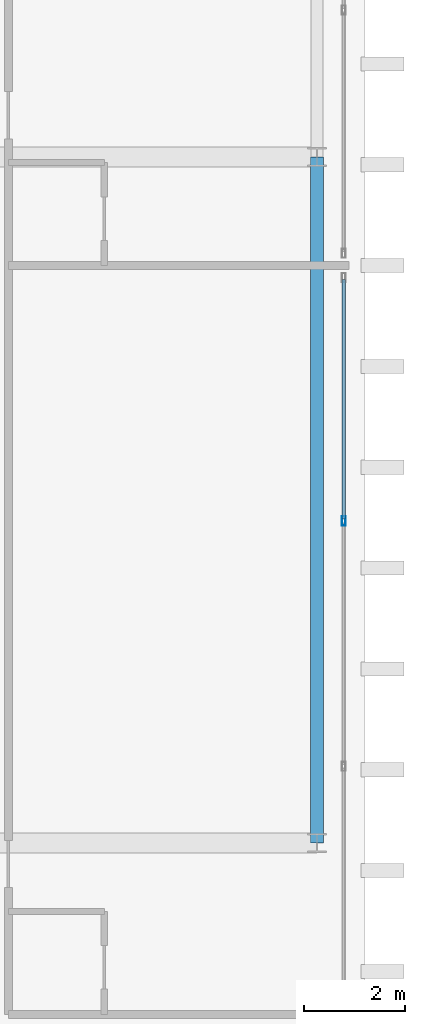
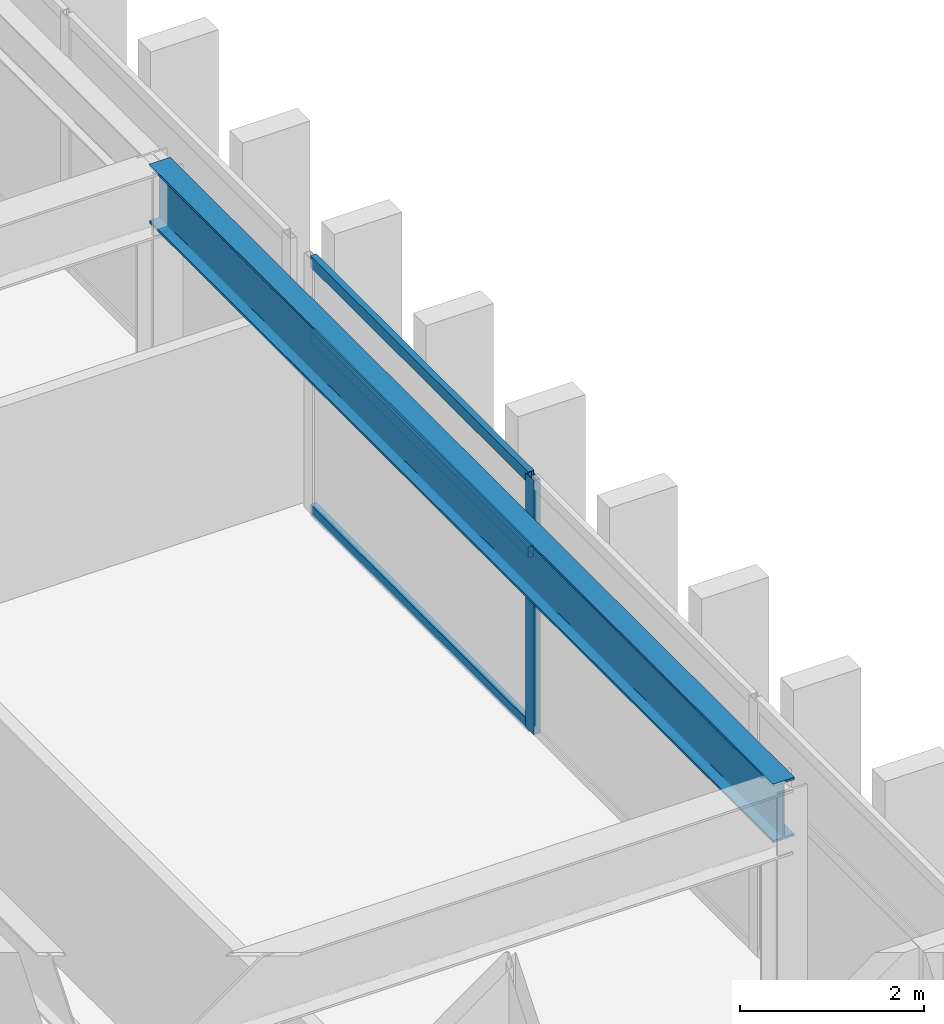
# One storey, part 5 of 15: 4 members, 1 beam, 1 element without a shape of its own.
"""IFC4 building model written with IfcOpenShell, lengths in metres."""

from ifc_helpers import new_model, si_unit, direction, frame, origin, origin_2d, place, context, subcontext, project, spatial, hollow_rectangle, i_section, extrude, source, transform, mapped, material, layer, layer_set, material_profile, profile_set, type_object, element, aggregate, save


model = new_model("IFC4")

# Units and contexts
model_context = context("Model", 3, precision=1e-05, world=origin(), true_north=direction((0.0, 1.0)))
body_context = subcontext(model_context, "Body", "Model", "MODEL_VIEW")
ifc_project = project(units=[si_unit("LENGTHUNIT", "METRE"), si_unit("AREAUNIT", "SQUARE_METRE"), si_unit("VOLUMEUNIT", "CUBIC_METRE"), si_unit("PLANEANGLEUNIT", "RADIAN"), si_unit("MASSUNIT", "GRAM", prefix="KILO")], contexts=[model_context])

# Site, building, storey
site_placement = place(None, origin())
site = spatial("IfcSite", under=ifc_project, at=site_placement, CompositionType="ELEMENT")
building_placement = place(site_placement, origin())
building = spatial("IfcBuilding", under=site, at=building_placement, Name="Ocotamira Hotel", CompositionType="ELEMENT")
storey_placement = place(building_placement, frame((0.0, 0.0, 294.0)))
storey = spatial("IfcBuildingStorey", under=building, at=storey_placement, Name="L75", CompositionType="ELEMENT", Elevation=294.0)

# Beam
ifc_material_1 = material(Name="Steel ASTM A992 Grade 50", Category="steel")
ifc_material_profile_1 = material_profile(ifc_material_1, i_section(OverallWidth=0.26611328125, OverallDepth=0.779052734375, WebThickness=0.0166015625, FlangeThickness=0.030029296875, FilletRadius=0.01806640625, at=origin_2d()), Name="W30X148")
ifc_profile_set_1 = profile_set([ifc_material_profile_1], Name="Steel ASTM A992 Grade 50")
beam_type = type_object("IfcBeamType", Name="BM-GIRD-W30X148", PredefinedType="BEAM", material=ifc_profile_set_1)
shared_shape_1 = source(origin(), body_context, "Body", "SweptSolid", [
    extrude(i_section(OverallWidth=0.26611328125, OverallDepth=0.779052734375, WebThickness=0.0166015625, FlangeThickness=0.030029296875, FilletRadius=0.01806640625, at=origin_2d()), origin(), (0.0, 0.0, 1.0), 13.599853515625),
])
beam_placement = place(storey_placement, frame((32.050048828125, 14.550048828125, 2.990478515625), z_axis=(0.0, 1.0, 0.0), x_axis=(-1.0, 0.0, 0.0)))
element("IfcBeam", 1, at=beam_placement, inside=storey, type_object=beam_type, Name="L75 Beam X32.05 Y14.55-28.15", PredefinedType="BEAM", context=body_context, shape_type="MappedRepresentation", body=[
    mapped(shared_shape_1, transform((0.0, 0.0, 0.0), scale=1.0)),
])

# Curtain wall, members
ifc_material_2 = material(Name="Anodised pale-metal aluminium and solar glass", Category="aluminium")
ifc_layer = layer(ifc_material_2, 0.2099609375)
ifc_layer_set = layer_set([ifc_layer], Name="Anodised pale-metal aluminium and solar glass")
curtain_wall_type = type_object("IfcCurtainWallType", Name="CW-SYS7-PEAK", PredefinedType="NOTDEFINED", material=ifc_layer_set)
curtain_wall_placement = place(storey_placement, origin())
curtain_wall = element("IfcCurtainWall", 2, at=curtain_wall_placement, inside=storey, type_object=curtain_wall_type, Name="L75 Curtain Wall CW-7 CW-L75-E1", PredefinedType="NOTDEFINED")
ifc_material_3 = material(Name="Anodised pale-metal aluminium 6063-T6", Category="aluminium")
ifc_material_profile_2 = material_profile(ifc_material_3, hollow_rectangle(XDim=0.080078125, YDim=0.179931640625, WallThickness=0.006103515625, at=origin_2d()), Name="HSS180X80X6")
ifc_profile_set_2 = profile_set([ifc_material_profile_2], Name="Anodised pale-metal aluminium 6063-T6")
member_type_1 = type_object("IfcMemberType", Name="CWM-180X75", PredefinedType="MULLION", material=ifc_profile_set_2)
shared_shape_2 = source(origin(), body_context, "Body", "SweptSolid", [
    extrude(hollow_rectangle(XDim=0.080078125, YDim=0.179931640625, WallThickness=0.006103515625, at=origin_2d()), origin(), (0.0, 0.0, 1.0), 3.3798828125),
])
member_1_placement = place(storey_placement, frame((32.580078125, 20.933349609375, 0.0), z_axis=(0.0, 0.0, 1.0), x_axis=(-1.0, 0.0, 0.0)))
member_1 = element("IfcMember", 3, at=member_1_placement, type_object=member_type_1, Name="CW-7 mullion 3", PredefinedType="MULLION", context=body_context, shape_type="MappedRepresentation", body=[
    mapped(shared_shape_2, transform((0.0, 0.0, 0.0), scale=1.0)),
])
ifc_material_profile_3 = material_profile(ifc_material_3, hollow_rectangle(XDim=0.074951171875, YDim=0.14990234375, WallThickness=0.006103515625, at=origin_2d()), Name="HSS150X75X6")
ifc_profile_set_3 = profile_set([ifc_material_profile_3], Name="Anodised pale-metal aluminium 6063-T6")
member_type_2 = type_object("IfcMemberType", Name="CWT-150X75", PredefinedType="USERDEFINED", material=ifc_profile_set_3)
shared_shape_3 = source(origin(), body_context, "Body", "SweptSolid", [
    extrude(hollow_rectangle(XDim=0.074951171875, YDim=0.14990234375, WallThickness=0.006103515625, at=origin_2d()), origin(), (0.0, 0.0, 1.0), 4.74658203125),
])
member_2_placement = place(storey_placement, frame((32.580078125, 20.973388671875, 0.03759765625), z_axis=(0.0, 1.0, 0.0), x_axis=(-1.0, 0.0, 0.0)))
member_2 = element("IfcMember", 4, at=member_2_placement, type_object=member_type_2, Name="CW-7 transom 3.1", ObjectType="TRANSOM", PredefinedType="USERDEFINED", context=body_context, shape_type="MappedRepresentation", body=[
    mapped(shared_shape_3, transform((0.0, 0.0, 0.0), scale=1.0)),
])
member_3_placement = place(storey_placement, frame((32.580078125, 20.973388671875, 2.35009765625), z_axis=(0.0, 1.0, 0.0), x_axis=(-1.0, 0.0, 0.0)))
member_3 = element("IfcMember", 5, at=member_3_placement, type_object=member_type_2, Name="CW-7 transom 3.2", ObjectType="TRANSOM", PredefinedType="USERDEFINED", context=body_context, shape_type="MappedRepresentation", body=[
    mapped(shared_shape_3, transform((0.0, 0.0, 0.0), scale=1.0)),
])
member_4_placement = place(storey_placement, frame((32.580078125, 20.973388671875, 3.342529296875), z_axis=(0.0, 1.0, 0.0), x_axis=(-1.0, 0.0, 0.0)))
member_4 = element("IfcMember", 6, at=member_4_placement, type_object=member_type_2, Name="CW-7 transom 3.3", ObjectType="TRANSOM", PredefinedType="USERDEFINED", context=body_context, shape_type="MappedRepresentation", body=[
    mapped(shared_shape_3, transform((0.0, 0.0, 0.0), scale=1.0)),
])
aggregate(curtain_wall, [member_1, member_2, member_3, member_4])

save(model, "model.ifc")
